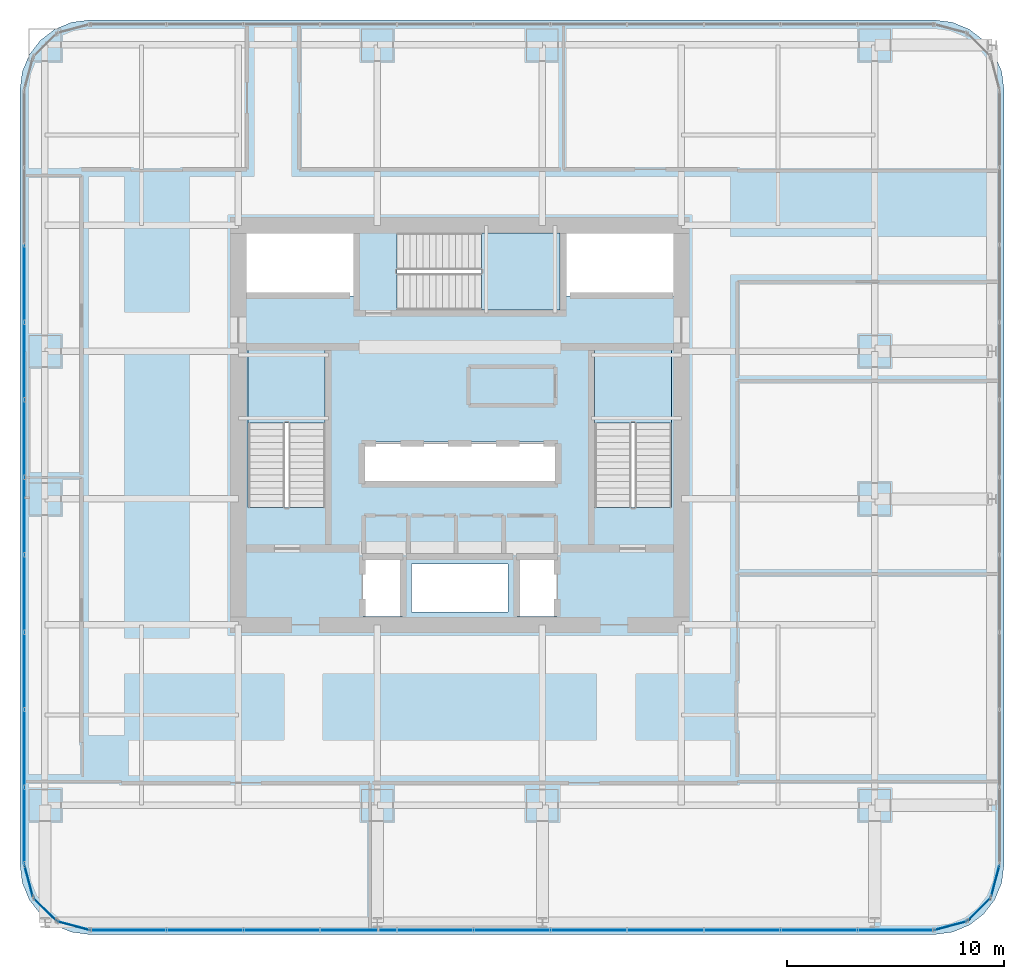
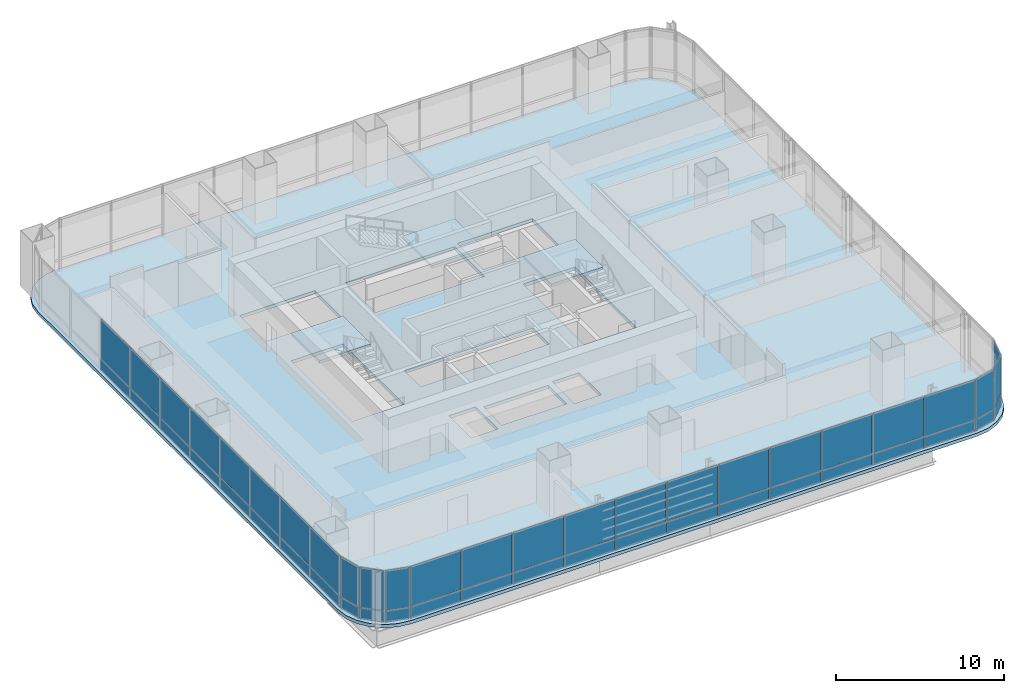
# One storey, part 25 of 35: 50 plates, 4 slabs, 11 elements without a shape of their own.
"""IFC4 building model written with IfcOpenShell, lengths in metres."""

from ifc_helpers import new_model, si_unit, direction, frame, origin, origin_2d, place, context, subcontext, project, spatial, polyline, rectangle, outline, extrude, material, layer, layer_set, type_object, element, aggregate, save


model = new_model("IFC4")

# Units and contexts
model_context = context("Model", 3, precision=1e-05, world=origin(), true_north=direction((0.0, 1.0)))
body_context = subcontext(model_context, "Body", "Model", "MODEL_VIEW")
ifc_project = project(units=[si_unit("LENGTHUNIT", "METRE"), si_unit("AREAUNIT", "SQUARE_METRE"), si_unit("VOLUMEUNIT", "CUBIC_METRE"), si_unit("PLANEANGLEUNIT", "RADIAN"), si_unit("MASSUNIT", "GRAM", prefix="KILO")], contexts=[model_context])

# Site, building, storey
site_placement = place(None, origin())
site = spatial("IfcSite", under=ifc_project, at=site_placement, CompositionType="ELEMENT")
building_placement = place(site_placement, origin())
building = spatial("IfcBuilding", under=site, at=building_placement, Name="Punatoya Terracotta Tower", CompositionType="ELEMENT")
storey_placement = place(building_placement, frame((0.0, 0.0, 68.699951171875)))
storey = spatial("IfcBuildingStorey", under=building, at=storey_placement, Name="L15", CompositionType="ELEMENT", Elevation=68.699951171875)

# Curtain wall, plates
ifc_material_1 = material(Name="Aluminium 6063-T6 + Double Low-E Glass", Category="aluminium")
curtain_wall_type = type_object("IfcCurtainWallType", Name="CW-M1", PredefinedType="NOTDEFINED", material=ifc_material_1)
curtain_wall_1_placement = place(storey_placement, origin())
curtain_wall_1 = element("IfcCurtainWall", 1, at=curtain_wall_1_placement, inside=storey, type_object=curtain_wall_type, Name="L15 Curtain Wall CW-L15-S01-1", PredefinedType="NOTDEFINED")
ifc_material_2 = material(Name="Double Low-E Clear Vision Glass", Category="glass")
ifc_layer_1 = layer(ifc_material_2, 0.028076171875)
ifc_layer_set_1 = layer_set([ifc_layer_1], Name="Double Low-E Clear Vision Glass")
plate_type_1 = type_object("IfcPlateType", Name="PLT-GLZ-28", PredefinedType="CURTAIN_PANEL", material=ifc_layer_set_1)
plate_1_placement = place(storey_placement, frame((-15.27001953125, -23.25, 0.89013671875), z_axis=(0.0, 0.0, 1.0), x_axis=(1.0, 0.0, 0.0)))
plate_1 = element("IfcPlate", 2, at=plate_1_placement, type_object=plate_type_1, Name="CW-L15-S01-1 Vision Glass Panel 1", PredefinedType="CURTAIN_PANEL", context=body_context, shape_type="SweptSolid", body=[
    extrude(rectangle(XDim=3.448974609375, YDim=0.028076171875, at=origin_2d()), origin(), (0.0, 0.0, 1.0), 2.8798828125),
])
plate_2_placement = place(storey_placement, frame((-11.73583984375, -23.25, 0.89013671875), z_axis=(0.0, 0.0, 1.0), x_axis=(1.0, 0.0, 0.0)))
plate_2 = element("IfcPlate", 3, at=plate_2_placement, type_object=plate_type_1, Name="CW-L15-S01-1 Vision Glass Panel 2", PredefinedType="CURTAIN_PANEL", context=body_context, shape_type="SweptSolid", body=[
    extrude(rectangle(XDim=3.448974609375, YDim=0.028076171875, at=origin_2d()), origin(), (0.0, 0.0, 1.0), 2.8798828125),
])
plate_3_placement = place(storey_placement, frame((-8.201904296875, -23.25, 0.89013671875), z_axis=(0.0, 0.0, 1.0), x_axis=(1.0, 0.0, 0.0)))
plate_3 = element("IfcPlate", 4, at=plate_3_placement, type_object=plate_type_1, Name="CW-L15-S01-1 Vision Glass Panel 3", PredefinedType="CURTAIN_PANEL", context=body_context, shape_type="SweptSolid", body=[
    extrude(rectangle(XDim=3.448974609375, YDim=0.028076171875, at=origin_2d()), origin(), (0.0, 0.0, 1.0), 2.8798828125),
])
plate_4_placement = place(storey_placement, frame((-4.66796875, -23.25, 0.89013671875), z_axis=(0.0, 0.0, 1.0), x_axis=(1.0, 0.0, 0.0)))
plate_4 = element("IfcPlate", 5, at=plate_4_placement, type_object=plate_type_1, Name="CW-L15-S01-1 Vision Glass Panel 4", PredefinedType="CURTAIN_PANEL", context=body_context, shape_type="SweptSolid", body=[
    extrude(rectangle(XDim=3.448974609375, YDim=0.028076171875, at=origin_2d()), origin(), (0.0, 0.0, 1.0), 2.8798828125),
])
plate_5_placement = place(storey_placement, frame((-1.134033203125, -23.25, 0.89013671875), z_axis=(0.0, 0.0, 1.0), x_axis=(1.0, 0.0, 0.0)))
plate_5 = element("IfcPlate", 6, at=plate_5_placement, type_object=plate_type_1, Name="CW-L15-S01-1 Vision Glass Panel 5", PredefinedType="CURTAIN_PANEL", context=body_context, shape_type="SweptSolid", body=[
    extrude(rectangle(XDim=3.448974609375, YDim=0.028076171875, at=origin_2d()), origin(), (0.0, 0.0, 1.0), 2.8798828125),
])
plate_6_placement = place(storey_placement, frame((2.39990234375, -23.25, 0.89013671875), z_axis=(0.0, 0.0, 1.0), x_axis=(1.0, 0.0, 0.0)))
plate_6 = element("IfcPlate", 7, at=plate_6_placement, type_object=plate_type_1, Name="CW-L15-S01-1 Vision Glass Panel 6", PredefinedType="CURTAIN_PANEL", context=body_context, shape_type="SweptSolid", body=[
    extrude(rectangle(XDim=3.448974609375, YDim=0.028076171875, at=origin_2d()), origin(), (0.0, 0.0, 1.0), 2.8798828125),
])
plate_7_placement = place(storey_placement, frame((5.93408203125, -23.25, 0.89013671875), z_axis=(0.0, 0.0, 1.0), x_axis=(1.0, 0.0, 0.0)))
plate_7 = element("IfcPlate", 8, at=plate_7_placement, type_object=plate_type_1, Name="CW-L15-S01-1 Vision Glass Panel 7", PredefinedType="CURTAIN_PANEL", context=body_context, shape_type="SweptSolid", body=[
    extrude(rectangle(XDim=3.448974609375, YDim=0.028076171875, at=origin_2d()), origin(), (0.0, 0.0, 1.0), 2.8798828125),
])
plate_8_placement = place(storey_placement, frame((9.468017578125, -23.25, 0.89013671875), z_axis=(0.0, 0.0, 1.0), x_axis=(1.0, 0.0, 0.0)))
plate_8 = element("IfcPlate", 9, at=plate_8_placement, type_object=plate_type_1, Name="CW-L15-S01-1 Vision Glass Panel 8", PredefinedType="CURTAIN_PANEL", context=body_context, shape_type="SweptSolid", body=[
    extrude(rectangle(XDim=3.448974609375, YDim=0.028076171875, at=origin_2d()), origin(), (0.0, 0.0, 1.0), 2.8798828125),
])
plate_9_placement = place(storey_placement, frame((13.001953125, -23.25, 0.89013671875), z_axis=(0.0, 0.0, 1.0), x_axis=(1.0, 0.0, 0.0)))
plate_9 = element("IfcPlate", 10, at=plate_9_placement, type_object=plate_type_1, Name="CW-L15-S01-1 Vision Glass Panel 9", PredefinedType="CURTAIN_PANEL", context=body_context, shape_type="SweptSolid", body=[
    extrude(rectangle(XDim=3.448974609375, YDim=0.028076171875, at=origin_2d()), origin(), (0.0, 0.0, 1.0), 2.8798828125),
])
plate_10_placement = place(storey_placement, frame((16.535888671875, -23.25, 0.89013671875), z_axis=(0.0, 0.0, 1.0), x_axis=(1.0, 0.0, 0.0)))
plate_10 = element("IfcPlate", 11, at=plate_10_placement, type_object=plate_type_1, Name="CW-L15-S01-1 Vision Glass Panel 10", PredefinedType="CURTAIN_PANEL", context=body_context, shape_type="SweptSolid", body=[
    extrude(rectangle(XDim=3.448974609375, YDim=0.028076171875, at=origin_2d()), origin(), (0.0, 0.0, 1.0), 2.8798828125),
])
plate_11_placement = place(storey_placement, frame((20.06982421875, -23.25, 0.89013671875), z_axis=(0.0, 0.0, 1.0), x_axis=(1.0, 0.0, 0.0)))
plate_11 = element("IfcPlate", 12, at=plate_11_placement, type_object=plate_type_1, Name="CW-L15-S01-1 Vision Glass Panel 11", PredefinedType="CURTAIN_PANEL", context=body_context, shape_type="SweptSolid", body=[
    extrude(rectangle(XDim=3.448974609375, YDim=0.028076171875, at=origin_2d()), origin(), (0.0, 0.0, 1.0), 2.8798828125),
])

# Curtain wall, plate
curtain_wall_2_placement = place(storey_placement, origin())
curtain_wall_2 = element("IfcCurtainWall", 13, at=curtain_wall_2_placement, inside=storey, type_object=curtain_wall_type, Name="L15 Curtain Wall CW-L15-CRN02", PredefinedType="NOTDEFINED")
plate_12_placement = place(storey_placement, frame((22.593017578125, -23.04833984375, 0.89013671875), z_axis=(0.0, 0.0, 1.0), x_axis=(0.966213877436, 0.257741620719, 0.0)))
plate_12 = element("IfcPlate", 14, at=plate_12_placement, type_object=plate_type_1, Name="CW-L15-CRN02 Vision Glass Panel 1", PredefinedType="CURTAIN_PANEL", context=body_context, shape_type="SweptSolid", body=[
    extrude(rectangle(XDim=1.47998046875, YDim=0.028076171875, at=origin_2d()), origin(), (0.0, 0.0, 1.0), 2.8798828125),
])

curtain_wall_3_placement = place(storey_placement, origin())
curtain_wall_3 = element("IfcCurtainWall", 15, at=curtain_wall_3_placement, inside=storey, type_object=curtain_wall_type, Name="L15 Curtain Wall CW-L15-CRN03", PredefinedType="NOTDEFINED")
plate_13_placement = place(storey_placement, frame((23.89794921875, -22.2978515625, 0.89013671875), z_axis=(0.0, 0.0, 1.0), x_axis=(0.707106781187, 0.707106781187, 0.0)))
plate_13 = element("IfcPlate", 16, at=plate_13_placement, type_object=plate_type_1, Name="CW-L15-CRN03 Vision Glass Panel 1", PredefinedType="CURTAIN_PANEL", context=body_context, shape_type="SweptSolid", body=[
    extrude(rectangle(XDim=1.467041015625, YDim=0.028076171875, at=origin_2d()), origin(), (0.0, 0.0, 1.0), 2.8798828125),
])

curtain_wall_4_placement = place(storey_placement, origin())
curtain_wall_4 = element("IfcCurtainWall", 17, at=curtain_wall_4_placement, inside=storey, type_object=curtain_wall_type, Name="L15 Curtain Wall CW-L15-CRN04", PredefinedType="NOTDEFINED")
plate_14_placement = place(storey_placement, frame((24.648193359375, -20.992919921875, 0.89013671875), z_axis=(0.0, 0.0, 1.0), x_axis=(0.257741620719, 0.966213877436, 0.0)))
plate_14 = element("IfcPlate", 18, at=plate_14_placement, type_object=plate_type_1, Name="CW-L15-CRN04 Vision Glass Panel 1", PredefinedType="CURTAIN_PANEL", context=body_context, shape_type="SweptSolid", body=[
    extrude(rectangle(XDim=1.47998046875, YDim=0.028076171875, at=origin_2d()), origin(), (0.0, 0.0, 1.0), 2.8798828125),
])

# Curtain wall, plates
curtain_wall_5_placement = place(storey_placement, origin())
curtain_wall_5 = element("IfcCurtainWall", 19, at=curtain_wall_5_placement, inside=storey, type_object=curtain_wall_type, Name="L15 Curtain Wall CW-L15-W13-1", PredefinedType="NOTDEFINED")
plate_15_placement = place(storey_placement, frame((-20.050048828125, 6.518310546875, 0.89013671875), z_axis=(0.0, 0.0, 1.0), x_axis=(0.0, -1.0, 0.0)))
plate_15 = element("IfcPlate", 20, at=plate_15_placement, type_object=plate_type_1, Name="CW-L15-W13-1 Vision Glass Panel 3", PredefinedType="CURTAIN_PANEL", context=body_context, shape_type="SweptSolid", body=[
    extrude(rectangle(XDim=3.482421875, YDim=0.028076171875, at=origin_2d()), origin(), (0.0, 0.0, 1.0), 2.8798828125),
])
plate_16_placement = place(storey_placement, frame((-20.050048828125, 2.951171875, 0.89013671875), z_axis=(0.0, 0.0, 1.0), x_axis=(0.0, -1.0, 0.0)))
plate_16 = element("IfcPlate", 21, at=plate_16_placement, type_object=plate_type_1, Name="CW-L15-W13-1 Vision Glass Panel 4", PredefinedType="CURTAIN_PANEL", context=body_context, shape_type="SweptSolid", body=[
    extrude(rectangle(XDim=3.482421875, YDim=0.028076171875, at=origin_2d()), origin(), (0.0, 0.0, 1.0), 2.8798828125),
])
plate_17_placement = place(storey_placement, frame((-20.050048828125, -0.6162109375, 0.89013671875), z_axis=(0.0, 0.0, 1.0), x_axis=(0.0, -1.0, 0.0)))
plate_17 = element("IfcPlate", 22, at=plate_17_placement, type_object=plate_type_1, Name="CW-L15-W13-1 Vision Glass Panel 5", PredefinedType="CURTAIN_PANEL", context=body_context, shape_type="SweptSolid", body=[
    extrude(rectangle(XDim=3.482421875, YDim=0.028076171875, at=origin_2d()), origin(), (0.0, 0.0, 1.0), 2.8798828125),
])
plate_18_placement = place(storey_placement, frame((-20.050048828125, -4.18359375, 0.89013671875), z_axis=(0.0, 0.0, 1.0), x_axis=(0.0, -1.0, 0.0)))
plate_18 = element("IfcPlate", 23, at=plate_18_placement, type_object=plate_type_1, Name="CW-L15-W13-1 Vision Glass Panel 6", PredefinedType="CURTAIN_PANEL", context=body_context, shape_type="SweptSolid", body=[
    extrude(rectangle(XDim=3.482421875, YDim=0.028076171875, at=origin_2d()), origin(), (0.0, 0.0, 1.0), 2.8798828125),
])
plate_19_placement = place(storey_placement, frame((-20.050048828125, -7.751220703125, 0.89013671875), z_axis=(0.0, 0.0, 1.0), x_axis=(0.0, -1.0, 0.0)))
plate_19 = element("IfcPlate", 24, at=plate_19_placement, type_object=plate_type_1, Name="CW-L15-W13-1 Vision Glass Panel 7", PredefinedType="CURTAIN_PANEL", context=body_context, shape_type="SweptSolid", body=[
    extrude(rectangle(XDim=3.482421875, YDim=0.028076171875, at=origin_2d()), origin(), (0.0, 0.0, 1.0), 2.8798828125),
])
plate_20_placement = place(storey_placement, frame((-20.050048828125, -11.318359375, 0.89013671875), z_axis=(0.0, 0.0, 1.0), x_axis=(0.0, -1.0, 0.0)))
plate_20 = element("IfcPlate", 25, at=plate_20_placement, type_object=plate_type_1, Name="CW-L15-W13-1 Vision Glass Panel 8", PredefinedType="CURTAIN_PANEL", context=body_context, shape_type="SweptSolid", body=[
    extrude(rectangle(XDim=3.482421875, YDim=0.028076171875, at=origin_2d()), origin(), (0.0, 0.0, 1.0), 2.8798828125),
])
plate_21_placement = place(storey_placement, frame((-20.050048828125, -14.8857421875, 0.89013671875), z_axis=(0.0, 0.0, 1.0), x_axis=(0.0, -1.0, 0.0)))
plate_21 = element("IfcPlate", 26, at=plate_21_placement, type_object=plate_type_1, Name="CW-L15-W13-1 Vision Glass Panel 9", PredefinedType="CURTAIN_PANEL", context=body_context, shape_type="SweptSolid", body=[
    extrude(rectangle(XDim=3.482421875, YDim=0.028076171875, at=origin_2d()), origin(), (0.0, 0.0, 1.0), 2.8798828125),
])
plate_22_placement = place(storey_placement, frame((-20.050048828125, -18.453125, 0.89013671875), z_axis=(0.0, 0.0, 1.0), x_axis=(0.0, -1.0, 0.0)))
plate_22 = element("IfcPlate", 27, at=plate_22_placement, type_object=plate_type_1, Name="CW-L15-W13-1 Vision Glass Panel 10", PredefinedType="CURTAIN_PANEL", context=body_context, shape_type="SweptSolid", body=[
    extrude(rectangle(XDim=3.482421875, YDim=0.028076171875, at=origin_2d()), origin(), (0.0, 0.0, 1.0), 2.8798828125),
])

# Curtain wall, plate
curtain_wall_6_placement = place(storey_placement, origin())
curtain_wall_6 = element("IfcCurtainWall", 28, at=curtain_wall_6_placement, inside=storey, type_object=curtain_wall_type, Name="L15 Curtain Wall CW-L15-CRN14", PredefinedType="NOTDEFINED")
plate_23_placement = place(storey_placement, frame((-19.848388671875, -20.992919921875, 0.89013671875), z_axis=(0.0, 0.0, 1.0), x_axis=(0.257741620719, -0.966213877436, 0.0)))
plate_23 = element("IfcPlate", 29, at=plate_23_placement, type_object=plate_type_1, Name="CW-L15-CRN14 Vision Glass Panel 1", PredefinedType="CURTAIN_PANEL", context=body_context, shape_type="SweptSolid", body=[
    extrude(rectangle(XDim=1.47998046875, YDim=0.028076171875, at=origin_2d()), origin(), (0.0, 0.0, 1.0), 2.8798828125),
])

curtain_wall_7_placement = place(storey_placement, origin())
curtain_wall_7 = element("IfcCurtainWall", 30, at=curtain_wall_7_placement, inside=storey, type_object=curtain_wall_type, Name="L15 Curtain Wall CW-L15-CRN15", PredefinedType="NOTDEFINED")
plate_24_placement = place(storey_placement, frame((-19.097900390625, -22.2978515625, 0.89013671875), z_axis=(0.0, 0.0, 1.0), x_axis=(0.707106781187, -0.707106781187, 0.0)))
plate_24 = element("IfcPlate", 31, at=plate_24_placement, type_object=plate_type_1, Name="CW-L15-CRN15 Vision Glass Panel 1", PredefinedType="CURTAIN_PANEL", context=body_context, shape_type="SweptSolid", body=[
    extrude(rectangle(XDim=1.467041015625, YDim=0.028076171875, at=origin_2d()), origin(), (0.0, 0.0, 1.0), 2.8798828125),
])

curtain_wall_8_placement = place(storey_placement, origin())
curtain_wall_8 = element("IfcCurtainWall", 32, at=curtain_wall_8_placement, inside=storey, type_object=curtain_wall_type, Name="L15 Curtain Wall CW-L15-CRN16", PredefinedType="NOTDEFINED")
plate_25_placement = place(storey_placement, frame((-17.79296875, -23.04833984375, 0.89013671875), z_axis=(0.0, 0.0, 1.0), x_axis=(0.966213877436, -0.257741620719, 0.0)))
plate_25 = element("IfcPlate", 33, at=plate_25_placement, type_object=plate_type_1, Name="CW-L15-CRN16 Vision Glass Panel 1", PredefinedType="CURTAIN_PANEL", context=body_context, shape_type="SweptSolid", body=[
    extrude(rectangle(XDim=1.47998046875, YDim=0.028076171875, at=origin_2d()), origin(), (0.0, 0.0, 1.0), 2.8798828125),
])

# Plate
ifc_material_3 = material(Name="Insulated Terracotta-Backed Spandrel Panel", Category="masonry")
ifc_layer_2 = layer(ifc_material_3, 0.044921875)
ifc_layer_set_2 = layer_set([ifc_layer_2], Name="Insulated Terracotta-Backed Spandrel Panel")
plate_type_2 = type_object("IfcPlateType", Name="PLT-SPN-45", PredefinedType="CURTAIN_PANEL", material=ifc_layer_set_2)
plate_26_placement = place(storey_placement, frame((-15.27001953125, -23.25, 0.0400390625), z_axis=(0.0, 0.0, 1.0), x_axis=(1.0, 0.0, 0.0)))
plate_26 = element("IfcPlate", 34, at=plate_26_placement, type_object=plate_type_2, Name="CW-L15-S01-1 Terracotta Spandrel Panel 1", PredefinedType="CURTAIN_PANEL", context=body_context, shape_type="SweptSolid", body=[
    extrude(rectangle(XDim=3.448974609375, YDim=0.044921875, at=origin_2d()), origin(), (0.0, 0.0, 1.0), 0.77490234375),
])

plate_27_placement = place(storey_placement, frame((-11.73583984375, -23.25, 0.0400390625), z_axis=(0.0, 0.0, 1.0), x_axis=(1.0, 0.0, 0.0)))
plate_27 = element("IfcPlate", 35, at=plate_27_placement, type_object=plate_type_2, Name="CW-L15-S01-1 Terracotta Spandrel Panel 2", PredefinedType="CURTAIN_PANEL", context=body_context, shape_type="SweptSolid", body=[
    extrude(rectangle(XDim=3.448974609375, YDim=0.044921875, at=origin_2d()), origin(), (0.0, 0.0, 1.0), 0.77490234375),
])

plate_28_placement = place(storey_placement, frame((-8.201904296875, -23.25, 0.0400390625), z_axis=(0.0, 0.0, 1.0), x_axis=(1.0, 0.0, 0.0)))
plate_28 = element("IfcPlate", 36, at=plate_28_placement, type_object=plate_type_2, Name="CW-L15-S01-1 Terracotta Spandrel Panel 3", PredefinedType="CURTAIN_PANEL", context=body_context, shape_type="SweptSolid", body=[
    extrude(rectangle(XDim=3.448974609375, YDim=0.044921875, at=origin_2d()), origin(), (0.0, 0.0, 1.0), 0.77490234375),
])

plate_29_placement = place(storey_placement, frame((-4.66796875, -23.25, 0.0400390625), z_axis=(0.0, 0.0, 1.0), x_axis=(1.0, 0.0, 0.0)))
plate_29 = element("IfcPlate", 37, at=plate_29_placement, type_object=plate_type_2, Name="CW-L15-S01-1 Terracotta Spandrel Panel 4", PredefinedType="CURTAIN_PANEL", context=body_context, shape_type="SweptSolid", body=[
    extrude(rectangle(XDim=3.448974609375, YDim=0.044921875, at=origin_2d()), origin(), (0.0, 0.0, 1.0), 0.77490234375),
])

plate_30_placement = place(storey_placement, frame((-1.134033203125, -23.25, 0.0400390625), z_axis=(0.0, 0.0, 1.0), x_axis=(1.0, 0.0, 0.0)))
plate_30 = element("IfcPlate", 38, at=plate_30_placement, type_object=plate_type_2, Name="CW-L15-S01-1 Terracotta Spandrel Panel 5", PredefinedType="CURTAIN_PANEL", context=body_context, shape_type="SweptSolid", body=[
    extrude(rectangle(XDim=3.448974609375, YDim=0.044921875, at=origin_2d()), origin(), (0.0, 0.0, 1.0), 0.77490234375),
])

plate_31_placement = place(storey_placement, frame((2.39990234375, -23.25, 0.0400390625), z_axis=(0.0, 0.0, 1.0), x_axis=(1.0, 0.0, 0.0)))
plate_31 = element("IfcPlate", 39, at=plate_31_placement, type_object=plate_type_2, Name="CW-L15-S01-1 Terracotta Spandrel Panel 6", PredefinedType="CURTAIN_PANEL", context=body_context, shape_type="SweptSolid", body=[
    extrude(rectangle(XDim=3.448974609375, YDim=0.044921875, at=origin_2d()), origin(), (0.0, 0.0, 1.0), 0.77490234375),
])

plate_32_placement = place(storey_placement, frame((5.93408203125, -23.25, 0.0400390625), z_axis=(0.0, 0.0, 1.0), x_axis=(1.0, 0.0, 0.0)))
plate_32 = element("IfcPlate", 40, at=plate_32_placement, type_object=plate_type_2, Name="CW-L15-S01-1 Terracotta Spandrel Panel 7", PredefinedType="CURTAIN_PANEL", context=body_context, shape_type="SweptSolid", body=[
    extrude(rectangle(XDim=3.448974609375, YDim=0.044921875, at=origin_2d()), origin(), (0.0, 0.0, 1.0), 0.77490234375),
])

plate_33_placement = place(storey_placement, frame((9.468017578125, -23.25, 0.0400390625), z_axis=(0.0, 0.0, 1.0), x_axis=(1.0, 0.0, 0.0)))
plate_33 = element("IfcPlate", 41, at=plate_33_placement, type_object=plate_type_2, Name="CW-L15-S01-1 Terracotta Spandrel Panel 8", PredefinedType="CURTAIN_PANEL", context=body_context, shape_type="SweptSolid", body=[
    extrude(rectangle(XDim=3.448974609375, YDim=0.044921875, at=origin_2d()), origin(), (0.0, 0.0, 1.0), 0.77490234375),
])

plate_34_placement = place(storey_placement, frame((13.001953125, -23.25, 0.0400390625), z_axis=(0.0, 0.0, 1.0), x_axis=(1.0, 0.0, 0.0)))
plate_34 = element("IfcPlate", 42, at=plate_34_placement, type_object=plate_type_2, Name="CW-L15-S01-1 Terracotta Spandrel Panel 9", PredefinedType="CURTAIN_PANEL", context=body_context, shape_type="SweptSolid", body=[
    extrude(rectangle(XDim=3.448974609375, YDim=0.044921875, at=origin_2d()), origin(), (0.0, 0.0, 1.0), 0.77490234375),
])

plate_35_placement = place(storey_placement, frame((16.535888671875, -23.25, 0.0400390625), z_axis=(0.0, 0.0, 1.0), x_axis=(1.0, 0.0, 0.0)))
plate_35 = element("IfcPlate", 43, at=plate_35_placement, type_object=plate_type_2, Name="CW-L15-S01-1 Terracotta Spandrel Panel 10", PredefinedType="CURTAIN_PANEL", context=body_context, shape_type="SweptSolid", body=[
    extrude(rectangle(XDim=3.448974609375, YDim=0.044921875, at=origin_2d()), origin(), (0.0, 0.0, 1.0), 0.77490234375),
])

plate_36_placement = place(storey_placement, frame((20.06982421875, -23.25, 0.0400390625), z_axis=(0.0, 0.0, 1.0), x_axis=(1.0, 0.0, 0.0)))
plate_36 = element("IfcPlate", 44, at=plate_36_placement, type_object=plate_type_2, Name="CW-L15-S01-1 Terracotta Spandrel Panel 11", PredefinedType="CURTAIN_PANEL", context=body_context, shape_type="SweptSolid", body=[
    extrude(rectangle(XDim=3.448974609375, YDim=0.044921875, at=origin_2d()), origin(), (0.0, 0.0, 1.0), 0.77490234375),
])

aggregate(curtain_wall_1, [plate_26, plate_1, plate_27, plate_2, plate_28, plate_3, plate_29, plate_4, plate_30, plate_5, plate_31, plate_6, plate_32, plate_7, plate_33, plate_8, plate_34, plate_9, plate_35, plate_10, plate_36, plate_11])

plate_37_placement = place(storey_placement, frame((22.593017578125, -23.04833984375, 0.0400390625), z_axis=(0.0, 0.0, 1.0), x_axis=(0.966213877436, 0.257741620719, 0.0)))
plate_37 = element("IfcPlate", 45, at=plate_37_placement, type_object=plate_type_2, Name="CW-L15-CRN02 Terracotta Spandrel Panel 1", PredefinedType="CURTAIN_PANEL", context=body_context, shape_type="SweptSolid", body=[
    extrude(rectangle(XDim=1.47998046875, YDim=0.044921875, at=origin_2d()), origin(), (0.0, 0.0, 1.0), 0.77490234375),
])

aggregate(curtain_wall_2, [plate_37, plate_12])

plate_38_placement = place(storey_placement, frame((23.89794921875, -22.2978515625, 0.0400390625), z_axis=(0.0, 0.0, 1.0), x_axis=(0.707106781187, 0.707106781187, 0.0)))
plate_38 = element("IfcPlate", 46, at=plate_38_placement, type_object=plate_type_2, Name="CW-L15-CRN03 Terracotta Spandrel Panel 1", PredefinedType="CURTAIN_PANEL", context=body_context, shape_type="SweptSolid", body=[
    extrude(rectangle(XDim=1.467041015625, YDim=0.044921875, at=origin_2d()), origin(), (0.0, 0.0, 1.0), 0.77490234375),
])

aggregate(curtain_wall_3, [plate_38, plate_13])

plate_39_placement = place(storey_placement, frame((24.648193359375, -20.992919921875, 0.0400390625), z_axis=(0.0, 0.0, 1.0), x_axis=(0.257741620719, 0.966213877436, 0.0)))
plate_39 = element("IfcPlate", 47, at=plate_39_placement, type_object=plate_type_2, Name="CW-L15-CRN04 Terracotta Spandrel Panel 1", PredefinedType="CURTAIN_PANEL", context=body_context, shape_type="SweptSolid", body=[
    extrude(rectangle(XDim=1.47998046875, YDim=0.044921875, at=origin_2d()), origin(), (0.0, 0.0, 1.0), 0.77490234375),
])

aggregate(curtain_wall_4, [plate_39, plate_14])

plate_40_placement = place(storey_placement, frame((-20.050048828125, 6.518310546875, 0.0400390625), z_axis=(0.0, 0.0, 1.0), x_axis=(0.0, -1.0, 0.0)))
plate_40 = element("IfcPlate", 48, at=plate_40_placement, type_object=plate_type_2, Name="CW-L15-W13-1 Terracotta Spandrel Panel 3", PredefinedType="CURTAIN_PANEL", context=body_context, shape_type="SweptSolid", body=[
    extrude(rectangle(XDim=3.482421875, YDim=0.044921875, at=origin_2d()), origin(), (0.0, 0.0, 1.0), 0.77490234375),
])

plate_41_placement = place(storey_placement, frame((-20.050048828125, 2.951171875, 0.0400390625), z_axis=(0.0, 0.0, 1.0), x_axis=(0.0, -1.0, 0.0)))
plate_41 = element("IfcPlate", 49, at=plate_41_placement, type_object=plate_type_2, Name="CW-L15-W13-1 Terracotta Spandrel Panel 4", PredefinedType="CURTAIN_PANEL", context=body_context, shape_type="SweptSolid", body=[
    extrude(rectangle(XDim=3.482421875, YDim=0.044921875, at=origin_2d()), origin(), (0.0, 0.0, 1.0), 0.77490234375),
])

plate_42_placement = place(storey_placement, frame((-20.050048828125, -0.6162109375, 0.0400390625), z_axis=(0.0, 0.0, 1.0), x_axis=(0.0, -1.0, 0.0)))
plate_42 = element("IfcPlate", 50, at=plate_42_placement, type_object=plate_type_2, Name="CW-L15-W13-1 Terracotta Spandrel Panel 5", PredefinedType="CURTAIN_PANEL", context=body_context, shape_type="SweptSolid", body=[
    extrude(rectangle(XDim=3.482421875, YDim=0.044921875, at=origin_2d()), origin(), (0.0, 0.0, 1.0), 0.77490234375),
])

plate_43_placement = place(storey_placement, frame((-20.050048828125, -4.18359375, 0.0400390625), z_axis=(0.0, 0.0, 1.0), x_axis=(0.0, -1.0, 0.0)))
plate_43 = element("IfcPlate", 51, at=plate_43_placement, type_object=plate_type_2, Name="CW-L15-W13-1 Terracotta Spandrel Panel 6", PredefinedType="CURTAIN_PANEL", context=body_context, shape_type="SweptSolid", body=[
    extrude(rectangle(XDim=3.482421875, YDim=0.044921875, at=origin_2d()), origin(), (0.0, 0.0, 1.0), 0.77490234375),
])

plate_44_placement = place(storey_placement, frame((-20.050048828125, -7.751220703125, 0.0400390625), z_axis=(0.0, 0.0, 1.0), x_axis=(0.0, -1.0, 0.0)))
plate_44 = element("IfcPlate", 52, at=plate_44_placement, type_object=plate_type_2, Name="CW-L15-W13-1 Terracotta Spandrel Panel 7", PredefinedType="CURTAIN_PANEL", context=body_context, shape_type="SweptSolid", body=[
    extrude(rectangle(XDim=3.482421875, YDim=0.044921875, at=origin_2d()), origin(), (0.0, 0.0, 1.0), 0.77490234375),
])

plate_45_placement = place(storey_placement, frame((-20.050048828125, -11.318359375, 0.0400390625), z_axis=(0.0, 0.0, 1.0), x_axis=(0.0, -1.0, 0.0)))
plate_45 = element("IfcPlate", 53, at=plate_45_placement, type_object=plate_type_2, Name="CW-L15-W13-1 Terracotta Spandrel Panel 8", PredefinedType="CURTAIN_PANEL", context=body_context, shape_type="SweptSolid", body=[
    extrude(rectangle(XDim=3.482421875, YDim=0.044921875, at=origin_2d()), origin(), (0.0, 0.0, 1.0), 0.77490234375),
])

plate_46_placement = place(storey_placement, frame((-20.050048828125, -14.8857421875, 0.0400390625), z_axis=(0.0, 0.0, 1.0), x_axis=(0.0, -1.0, 0.0)))
plate_46 = element("IfcPlate", 54, at=plate_46_placement, type_object=plate_type_2, Name="CW-L15-W13-1 Terracotta Spandrel Panel 9", PredefinedType="CURTAIN_PANEL", context=body_context, shape_type="SweptSolid", body=[
    extrude(rectangle(XDim=3.482421875, YDim=0.044921875, at=origin_2d()), origin(), (0.0, 0.0, 1.0), 0.77490234375),
])

plate_47_placement = place(storey_placement, frame((-20.050048828125, -18.453125, 0.0400390625), z_axis=(0.0, 0.0, 1.0), x_axis=(0.0, -1.0, 0.0)))
plate_47 = element("IfcPlate", 55, at=plate_47_placement, type_object=plate_type_2, Name="CW-L15-W13-1 Terracotta Spandrel Panel 10", PredefinedType="CURTAIN_PANEL", context=body_context, shape_type="SweptSolid", body=[
    extrude(rectangle(XDim=3.482421875, YDim=0.044921875, at=origin_2d()), origin(), (0.0, 0.0, 1.0), 0.77490234375),
])

aggregate(curtain_wall_5, [plate_40, plate_15, plate_41, plate_16, plate_42, plate_17, plate_43, plate_18, plate_44, plate_19, plate_45, plate_20, plate_46, plate_21, plate_47, plate_22])

plate_48_placement = place(storey_placement, frame((-19.848388671875, -20.992919921875, 0.0400390625), z_axis=(0.0, 0.0, 1.0), x_axis=(0.257741620719, -0.966213877436, 0.0)))
plate_48 = element("IfcPlate", 56, at=plate_48_placement, type_object=plate_type_2, Name="CW-L15-CRN14 Terracotta Spandrel Panel 1", PredefinedType="CURTAIN_PANEL", context=body_context, shape_type="SweptSolid", body=[
    extrude(rectangle(XDim=1.47998046875, YDim=0.044921875, at=origin_2d()), origin(), (0.0, 0.0, 1.0), 0.77490234375),
])

aggregate(curtain_wall_6, [plate_48, plate_23])

plate_49_placement = place(storey_placement, frame((-19.097900390625, -22.2978515625, 0.0400390625), z_axis=(0.0, 0.0, 1.0), x_axis=(0.707106781187, -0.707106781187, 0.0)))
plate_49 = element("IfcPlate", 57, at=plate_49_placement, type_object=plate_type_2, Name="CW-L15-CRN15 Terracotta Spandrel Panel 1", PredefinedType="CURTAIN_PANEL", context=body_context, shape_type="SweptSolid", body=[
    extrude(rectangle(XDim=1.467041015625, YDim=0.044921875, at=origin_2d()), origin(), (0.0, 0.0, 1.0), 0.77490234375),
])

aggregate(curtain_wall_7, [plate_49, plate_24])

plate_50_placement = place(storey_placement, frame((-17.79296875, -23.04833984375, 0.0400390625), z_axis=(0.0, 0.0, 1.0), x_axis=(0.966213877436, -0.257741620719, 0.0)))
plate_50 = element("IfcPlate", 58, at=plate_50_placement, type_object=plate_type_2, Name="CW-L15-CRN16 Terracotta Spandrel Panel 1", PredefinedType="CURTAIN_PANEL", context=body_context, shape_type="SweptSolid", body=[
    extrude(rectangle(XDim=1.47998046875, YDim=0.044921875, at=origin_2d()), origin(), (0.0, 0.0, 1.0), 0.77490234375),
])

aggregate(curtain_wall_8, [plate_50, plate_25])

# Stair, slab
ifc_material_4 = material(Name="Concrete C40/50", Category="concrete")
stair_type_1 = type_object("IfcStairType", Name="STR-TER-1450", PredefinedType="HALF_TURN_STAIR", material=ifc_material_4)
stair_1_placement = place(storey_placement, origin())
stair_1 = element("IfcStair", 59, at=stair_1_placement, inside=storey, type_object=stair_type_1, Name="L15 Protected Core Exit Stair ST-3", PredefinedType="HALF_TURN_STAIR")
ifc_layer_3 = layer(ifc_material_4, 0.1650390625)
ifc_layer_set_3 = layer_set([ifc_layer_3], Name="Concrete C40/50")
slab_type_1 = type_object("IfcSlabType", Name="SLB-LND-165", PredefinedType="LANDING", material=ifc_layer_set_3)
slab_1_placement = place(storey_placement, frame((0.0, 0.0, 1.824951171875)))
slab_1 = element("IfcSlab", 60, at=slab_1_placement, type_object=slab_type_1, Name="ST-3 landing 1", PredefinedType="LANDING", context=body_context, shape_type="SweptSolid", body=[
    extrude(outline(polyline([(1.0, 5.300048828125), (4.60009765625, 5.300048828125), (4.60009765625, 8.85009765625), (1.0, 8.85009765625), (1.0, 5.300048828125)])), origin(), (0.0, 0.0, 1.0), 0.2001953125),
])
aggregate(stair_1, [slab_1])

stair_type_2 = type_object("IfcStairType", Name="STR-CORE-1550", PredefinedType="HALF_TURN_STAIR", material=ifc_material_4)
stair_2_placement = place(storey_placement, origin())
stair_2 = element("IfcStair", 61, at=stair_2_placement, inside=storey, type_object=stair_type_2, Name="L15 Protected Core Exit Stair ST-1", PredefinedType="HALF_TURN_STAIR")
ifc_layer_4 = layer(ifc_material_4, 0.179931640625)
ifc_layer_set_4 = layer_set([ifc_layer_4], Name="Concrete C40/50")
slab_type_2 = type_object("IfcSlabType", Name="SLB-LND-180", PredefinedType="LANDING", material=ifc_layer_set_4)
slab_2_placement = place(storey_placement, frame((0.0, 0.0, 1.824951171875)))
slab_2 = element("IfcSlab", 62, at=slab_2_placement, type_object=slab_type_2, Name="ST-1 landing 1", PredefinedType="LANDING", context=body_context, shape_type="SweptSolid", body=[
    extrude(outline(polyline([(-6.199951171875, 0.10009765625), (-6.199951171875, 3.449951171875), (-9.75, 3.449951171875), (-9.75, 0.10009765625), (-6.199951171875, 0.10009765625)])), origin(), (0.0, 0.0, 1.0), 0.2001953125),
])
aggregate(stair_2, [slab_2])

stair_type_3 = type_object("IfcStairType", Name="STR-LOB-1650", PredefinedType="HALF_TURN_STAIR", material=ifc_material_4)
stair_3_placement = place(storey_placement, origin())
stair_3 = element("IfcStair", 63, at=stair_3_placement, inside=storey, type_object=stair_type_3, Name="L15 Protected Core Exit Stair ST-2", PredefinedType="HALF_TURN_STAIR")
slab_3_placement = place(storey_placement, frame((0.0, 0.0, 1.824951171875)))
slab_3 = element("IfcSlab", 64, at=slab_3_placement, type_object=slab_type_2, Name="ST-2 landing 1", PredefinedType="LANDING", context=body_context, shape_type="SweptSolid", body=[
    extrude(outline(polyline([(9.75, 0.10009765625), (9.75, 3.449951171875), (6.199951171875, 3.449951171875), (6.199951171875, 0.10009765625), (9.75, 0.10009765625)])), origin(), (0.0, 0.0, 1.0), 0.2001953125),
])
aggregate(stair_3, [slab_3])

# Slab
ifc_layer_5 = layer(ifc_material_4, 0.239990234375)
ifc_layer_set_5 = layer_set([ifc_layer_5], Name="Concrete C40/50")
slab_type_3 = type_object("IfcSlabType", Name="SLB-OFF-240", PredefinedType="FLOOR", material=ifc_layer_set_5)
slab_4_placement = place(storey_placement, frame((0.0, 0.0, -0.239990234375)))
element("IfcSlab", 65, at=slab_4_placement, inside=storey, type_object=slab_type_3, Name="L15 Structural Floor Slab", PredefinedType="FLOOR", context=body_context, shape_type="SweptSolid", body=[
    extrude(outline(polyline([(-17.050048828125, -23.449951171875), (-17.878173828125, -23.341064453125), (-18.64990234375, -23.021240234375), (-19.312744140625, -22.5126953125), (-19.8212890625, -21.85009765625), (-20.14111328125, -21.078125), (-20.25, -20.25), (-20.25, 15.449951171875), (-20.14111328125, 16.2783203125), (-19.8212890625, 17.050048828125), (-19.312744140625, 17.712646484375), (-18.64990234375, 18.22119140625), (-17.878173828125, 18.541015625), (-17.050048828125, 18.64990234375), (21.85009765625, 18.64990234375), (22.67822265625, 18.541015625), (23.449951171875, 18.22119140625), (24.11279296875, 17.712646484375), (24.621337890625, 17.050048828125), (24.94091796875, 16.2783203125), (25.050048828125, 15.449951171875), (25.050048828125, -20.25), (24.94091796875, -21.078125), (24.621337890625, -21.85009765625), (24.11279296875, -22.5126953125), (23.449951171875, -23.021240234375), (22.67822265625, -23.341064453125), (21.85009765625, -23.449951171875), (-17.050048828125, -23.449951171875)]), holes=[polyline([(-2.6298828125, -6.179931640625), (-4.469970703125, -6.179931640625), (-4.469970703125, -8.820068359375), (-2.6298828125, -8.820068359375), (-2.6298828125, -6.179931640625)]), polyline([(0.02001953125, -8.594970703125), (2.219970703125, -8.594970703125), (2.219970703125, -6.405029296875), (0.02001953125, -6.405029296875), (-0.02001953125, -6.405029296875), (-2.219970703125, -6.405029296875), (-2.219970703125, -8.594970703125), (-0.02001953125, -8.594970703125), (0.02001953125, -8.594970703125)]), polyline([(-2.219970703125, -2.719970703125), (-2.179931640625, -2.719970703125), (-0.02001953125, -2.719970703125), (0.02001953125, -2.719970703125), (2.179931640625, -2.719970703125), (2.219970703125, -2.719970703125), (4.419921875, -2.719970703125), (4.419921875, -0.780029296875), (2.219970703125, -0.780029296875), (2.179931640625, -0.780029296875), (0.02001953125, -0.780029296875), (-0.02001953125, -0.780029296875), (-2.179931640625, -0.780029296875), (-2.219970703125, -0.780029296875), (-4.419921875, -0.780029296875), (-4.419921875, -2.719970703125), (-2.219970703125, -2.719970703125)]), polyline([(-6.199951171875, 3.449951171875), (-9.75, 3.449951171875), (-9.75, -3.79931640625), (-6.199951171875, -3.79931640625), (-6.199951171875, 3.449951171875)]), polyline([(4.60009765625, 5.300048828125), (4.60009765625, 8.85009765625), (-2.899169921875, 8.85009765625), (-2.899169921875, 5.300048828125), (4.60009765625, 5.300048828125)]), polyline([(-4.89990234375, 9.050048828125), (-10.050048828125, 9.050048828125), (-10.050048828125, 5.949951171875), (-4.89990234375, 5.949951171875), (-4.89990234375, 9.050048828125)]), polyline([(4.469970703125, -8.820068359375), (4.469970703125, -6.179931640625), (2.6298828125, -6.179931640625), (2.6298828125, -8.820068359375), (4.469970703125, -8.820068359375)]), polyline([(9.75, 3.449951171875), (6.199951171875, 3.449951171875), (6.199951171875, -3.79931640625), (9.75, -3.79931640625), (9.75, 3.449951171875)]), polyline([(10.050048828125, 5.949951171875), (10.050048828125, 9.050048828125), (4.89990234375, 9.050048828125), (4.89990234375, 5.949951171875), (10.050048828125, 5.949951171875)])]), origin(), (0.0, 0.0, 1.0), 0.239990234375),
])

save(model, "model.ifc")
